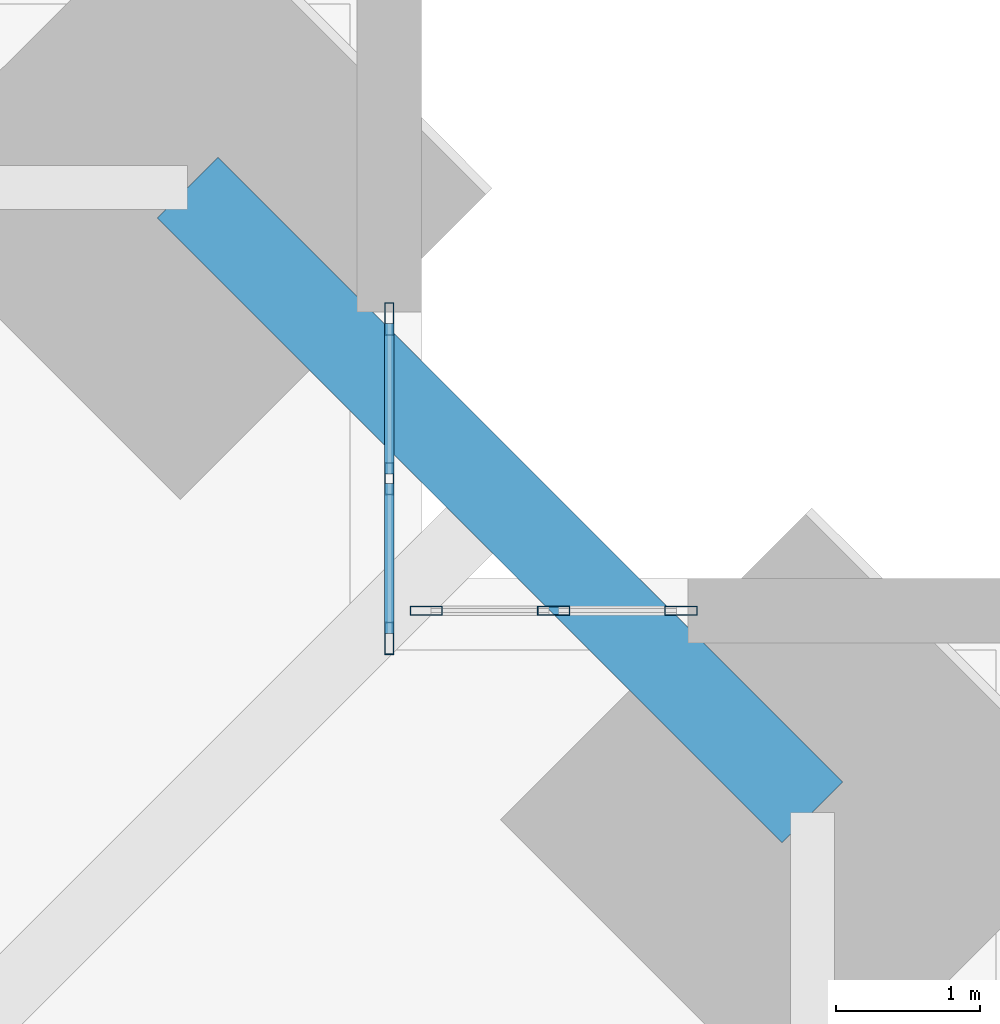
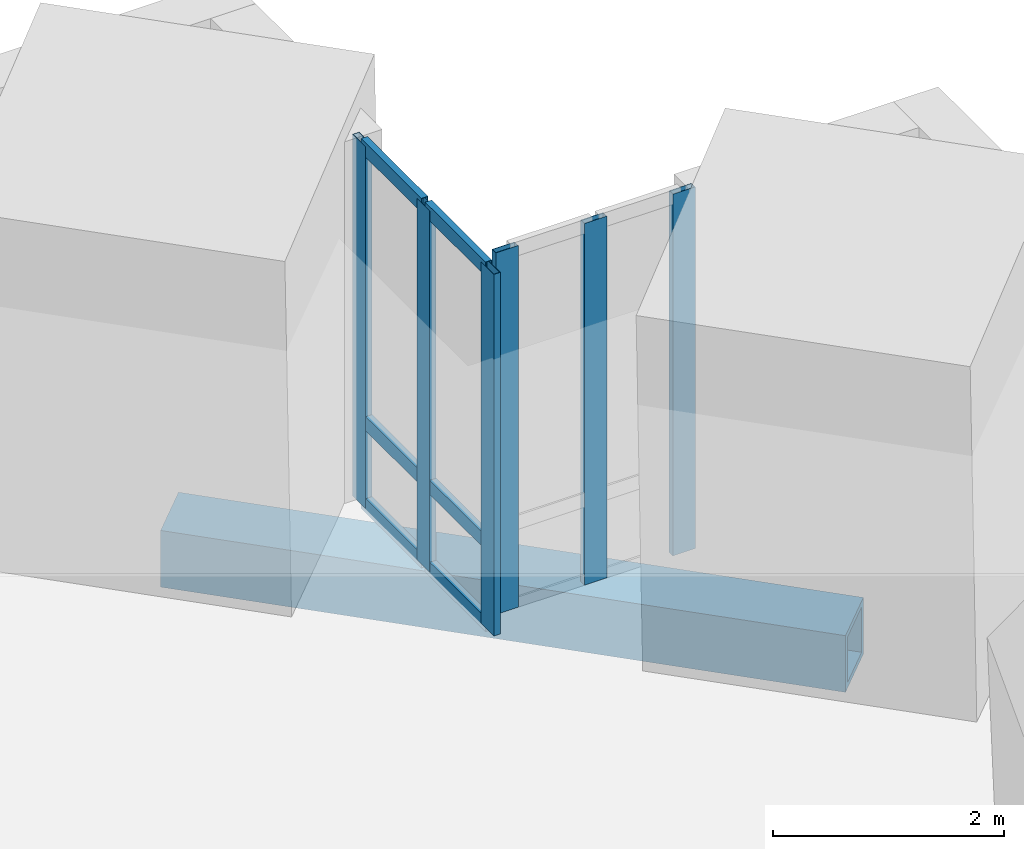
# One storey, part 8 of 16: 12 members, 1 beam, 2 elements without a shape of their own.
"""IFC4 building model written with IfcOpenShell, lengths in metres."""

from ifc_helpers import new_model, si_unit, direction, frame, origin, origin_2d, place, context, subcontext, project, spatial, hollow_rectangle, extrude, material, material_profile, profile_set, type_object, element, aggregate, save


model = new_model("IFC4")

# Units and contexts
model_context = context("Model", 3, precision=1e-05, world=origin(), true_north=direction((0.0, 1.0)))
body_context = subcontext(model_context, "Body", "Model", "MODEL_VIEW")
ifc_project = project(units=[si_unit("LENGTHUNIT", "METRE"), si_unit("AREAUNIT", "SQUARE_METRE"), si_unit("VOLUMEUNIT", "CUBIC_METRE"), si_unit("PLANEANGLEUNIT", "RADIAN"), si_unit("MASSUNIT", "GRAM", prefix="KILO")], contexts=[model_context])

# Site, building, storey
site_placement = place(None, origin())
site = spatial("IfcSite", under=ifc_project, at=site_placement, CompositionType="ELEMENT")
building_placement = place(site_placement, origin())
building = spatial("IfcBuilding", under=site, at=building_placement, Name="Peilmerk Tower", CompositionType="ELEMENT")
storey_placement = place(building_placement, frame((0.0, 0.0, 135.800048828125)))
storey = spatial("IfcBuildingStorey", under=building, at=storey_placement, Name="L27", CompositionType="ELEMENT", Elevation=135.800048828125)

# Beam
ifc_material_1 = material(Name="Steel S460", Category="steel")
ifc_material_profile_1 = material_profile(ifc_material_1, hollow_rectangle(XDim=0.60009765625, YDim=0.60009765625, WallThickness=0.06005859375, at=origin_2d()), Name="BOX 600x600x60")
ifc_profile_set_1 = profile_set([ifc_material_profile_1], Name="Steel S460")
beam_type = type_object("IfcBeamType", Name="B20 BOX 600x600x60 notch beam", PredefinedType="SPANDREL", material=ifc_profile_set_1)
beam_placement = place(storey_placement, frame((21.071044921875, 25.4208984375, -0.469970703125), z_axis=(0.707106781187, -0.707106781187, 0.0), x_axis=(0.707106781187, 0.707106781187, 0.0)))
element("IfcBeam", 1, at=beam_placement, inside=storey, type_object=beam_type, Name="Notch beam L27", PredefinedType="SPANDREL", context=body_context, shape_type="SweptSolid", body=[
    extrude(hollow_rectangle(XDim=0.60009765625, YDim=0.60009765625, WallThickness=0.06005859375, at=origin_2d()), origin(), (0.0, 0.0, 1.0), 6.151611328125),
])

# Curtain wall, members
ifc_material_2 = material(Name="Aluminium stick curtain wall", Category="aluminium")
curtain_wall_type = type_object("IfcCurtainWallType", Name="CW3 stick curtain wall, 2250 module", PredefinedType="NOTDEFINED", material=ifc_material_2)
curtain_wall_1_placement = place(storey_placement, origin())
curtain_wall_1 = element("IfcCurtainWall", 2, at=curtain_wall_1_placement, inside=storey, type_object=curtain_wall_type, Name="Curtain wall CW3 NEA L27", PredefinedType="NOTDEFINED")
ifc_material_3 = material(Name="Aluminium EN AW-6063 T6", Category="aluminium")
ifc_material_profile_2 = material_profile(ifc_material_3, hollow_rectangle(XDim=0.06494140625, YDim=0.22509765625, WallThickness=0.00390625, at=origin_2d()), Name="AL 225x65x4")
ifc_profile_set_2 = profile_set([ifc_material_profile_2], Name="Aluminium EN AW-6063 T6")
member_type_1 = type_object("IfcMemberType", Name="CW3-M AL 225x65x4 mullion", PredefinedType="MULLION", material=ifc_profile_set_2)
member_1_placement = place(storey_placement, frame((22.47509765625, 22.282470703125, 0.0), z_axis=(0.0, 0.0, 1.0), x_axis=(-1.0, 0.0, 0.0)))
member_1 = element("IfcMember", 3, at=member_1_placement, type_object=member_type_1, Name="CW3 mullion 1", PredefinedType="MULLION", context=body_context, shape_type="SweptSolid", body=[
    extrude(hollow_rectangle(XDim=0.06494140625, YDim=0.22509765625, WallThickness=0.00390625, at=origin_2d()), origin(), (0.0, 0.0, 1.0), 3.829833984375),
])
member_2_placement = place(storey_placement, frame((22.47509765625, 23.394287109375, 0.0), z_axis=(0.0, 0.0, 1.0), x_axis=(-1.0, 0.0, 0.0)))
member_2 = element("IfcMember", 4, at=member_2_placement, type_object=member_type_1, Name="CW3 mullion 2", PredefinedType="MULLION", context=body_context, shape_type="SweptSolid", body=[
    extrude(hollow_rectangle(XDim=0.06494140625, YDim=0.22509765625, WallThickness=0.00390625, at=origin_2d()), origin(), (0.0, 0.0, 1.0), 3.829833984375),
])
member_3_placement = place(storey_placement, frame((22.47509765625, 24.506103515625, 0.0), z_axis=(0.0, 0.0, 1.0), x_axis=(-1.0, 0.0, 0.0)))
member_3 = element("IfcMember", 5, at=member_3_placement, type_object=member_type_1, Name="CW3 mullion 3", PredefinedType="MULLION", context=body_context, shape_type="SweptSolid", body=[
    extrude(hollow_rectangle(XDim=0.06494140625, YDim=0.22509765625, WallThickness=0.00390625, at=origin_2d()), origin(), (0.0, 0.0, 1.0), 3.829833984375),
])

curtain_wall_2_placement = place(storey_placement, origin())
curtain_wall_2 = element("IfcCurtainWall", 6, at=curtain_wall_2_placement, inside=storey, type_object=curtain_wall_type, Name="Curtain wall CW3 NEB L27", PredefinedType="NOTDEFINED")
member_4_placement = place(storey_placement, frame((22.732421875, 22.47509765625, 0.0), z_axis=(0.0, 0.0, 1.0), x_axis=(0.0, 1.0, 0.0)))
member_4 = element("IfcMember", 7, at=member_4_placement, type_object=member_type_1, Name="CW3 mullion 1", PredefinedType="MULLION", context=body_context, shape_type="SweptSolid", body=[
    extrude(hollow_rectangle(XDim=0.06494140625, YDim=0.22509765625, WallThickness=0.00390625, at=origin_2d()), origin(), (0.0, 0.0, 1.0), 3.829833984375),
])
member_5_placement = place(storey_placement, frame((23.619384765625, 22.47509765625, 0.0), z_axis=(0.0, 0.0, 1.0), x_axis=(0.0, 1.0, 0.0)))
member_5 = element("IfcMember", 8, at=member_5_placement, type_object=member_type_1, Name="CW3 mullion 2", PredefinedType="MULLION", context=body_context, shape_type="SweptSolid", body=[
    extrude(hollow_rectangle(XDim=0.06494140625, YDim=0.22509765625, WallThickness=0.00390625, at=origin_2d()), origin(), (0.0, 0.0, 1.0), 3.829833984375),
])
member_6_placement = place(storey_placement, frame((24.506103515625, 22.47509765625, 0.0), z_axis=(0.0, 0.0, 1.0), x_axis=(0.0, 1.0, 0.0)))
member_6 = element("IfcMember", 9, at=member_6_placement, type_object=member_type_1, Name="CW3 mullion 3", PredefinedType="MULLION", context=body_context, shape_type="SweptSolid", body=[
    extrude(hollow_rectangle(XDim=0.06494140625, YDim=0.22509765625, WallThickness=0.00390625, at=origin_2d()), origin(), (0.0, 0.0, 1.0), 3.829833984375),
])
aggregate(curtain_wall_2, [member_4, member_5, member_6])

# Member
ifc_material_profile_3 = material_profile(ifc_material_3, hollow_rectangle(XDim=0.06494140625, YDim=0.14990234375, WallThickness=0.0029296875, at=origin_2d()), Name="AL 150x65x3")
ifc_profile_set_3 = profile_set([ifc_material_profile_3], Name="Aluminium EN AW-6063 T6")
member_type_2 = type_object("IfcMemberType", Name="CW3-T AL 150x65x3 transom", PredefinedType="USERDEFINED", material=ifc_profile_set_3)
member_7_placement = place(storey_placement, frame((22.47509765625, 22.31494140625, 0.032470703125), z_axis=(0.0, 1.0, 0.0), x_axis=(-1.0, 0.0, 0.0)))
member_7 = element("IfcMember", 10, at=member_7_placement, type_object=member_type_2, Name="CW3 transom 1.1", ObjectType="TRANSOM", PredefinedType="USERDEFINED", context=body_context, shape_type="SweptSolid", body=[
    extrude(hollow_rectangle(XDim=0.06494140625, YDim=0.14990234375, WallThickness=0.0029296875, at=origin_2d()), origin(), (0.0, 0.0, 1.0), 1.046875),
])

member_8_placement = place(storey_placement, frame((22.47509765625, 22.31494140625, 0.89990234375), z_axis=(0.0, 1.0, 0.0), x_axis=(-1.0, 0.0, 0.0)))
member_8 = element("IfcMember", 11, at=member_8_placement, type_object=member_type_2, Name="CW3 transom 1.2", ObjectType="TRANSOM", PredefinedType="USERDEFINED", context=body_context, shape_type="SweptSolid", body=[
    extrude(hollow_rectangle(XDim=0.06494140625, YDim=0.14990234375, WallThickness=0.0029296875, at=origin_2d()), origin(), (0.0, 0.0, 1.0), 1.046875),
])

member_9_placement = place(storey_placement, frame((22.47509765625, 22.31494140625, 3.79736328125), z_axis=(0.0, 1.0, 0.0), x_axis=(-1.0, 0.0, 0.0)))
member_9 = element("IfcMember", 12, at=member_9_placement, type_object=member_type_2, Name="CW3 transom 1.3", ObjectType="TRANSOM", PredefinedType="USERDEFINED", context=body_context, shape_type="SweptSolid", body=[
    extrude(hollow_rectangle(XDim=0.06494140625, YDim=0.14990234375, WallThickness=0.0029296875, at=origin_2d()), origin(), (0.0, 0.0, 1.0), 1.046875),
])

member_10_placement = place(storey_placement, frame((22.47509765625, 23.4267578125, 0.032470703125), z_axis=(0.0, 1.0, 0.0), x_axis=(-1.0, 0.0, 0.0)))
member_10 = element("IfcMember", 13, at=member_10_placement, type_object=member_type_2, Name="CW3 transom 2.1", ObjectType="TRANSOM", PredefinedType="USERDEFINED", context=body_context, shape_type="SweptSolid", body=[
    extrude(hollow_rectangle(XDim=0.06494140625, YDim=0.14990234375, WallThickness=0.0029296875, at=origin_2d()), origin(), (0.0, 0.0, 1.0), 1.046875),
])

member_11_placement = place(storey_placement, frame((22.47509765625, 23.4267578125, 0.89990234375), z_axis=(0.0, 1.0, 0.0), x_axis=(-1.0, 0.0, 0.0)))
member_11 = element("IfcMember", 14, at=member_11_placement, type_object=member_type_2, Name="CW3 transom 2.2", ObjectType="TRANSOM", PredefinedType="USERDEFINED", context=body_context, shape_type="SweptSolid", body=[
    extrude(hollow_rectangle(XDim=0.06494140625, YDim=0.14990234375, WallThickness=0.0029296875, at=origin_2d()), origin(), (0.0, 0.0, 1.0), 1.046875),
])

member_12_placement = place(storey_placement, frame((22.47509765625, 23.4267578125, 3.79736328125), z_axis=(0.0, 1.0, 0.0), x_axis=(-1.0, 0.0, 0.0)))
member_12 = element("IfcMember", 15, at=member_12_placement, type_object=member_type_2, Name="CW3 transom 2.3", ObjectType="TRANSOM", PredefinedType="USERDEFINED", context=body_context, shape_type="SweptSolid", body=[
    extrude(hollow_rectangle(XDim=0.06494140625, YDim=0.14990234375, WallThickness=0.0029296875, at=origin_2d()), origin(), (0.0, 0.0, 1.0), 1.046875),
])

aggregate(curtain_wall_1, [member_1, member_2, member_3, member_7, member_8, member_9, member_10, member_11, member_12])

save(model, "model.ifc")
